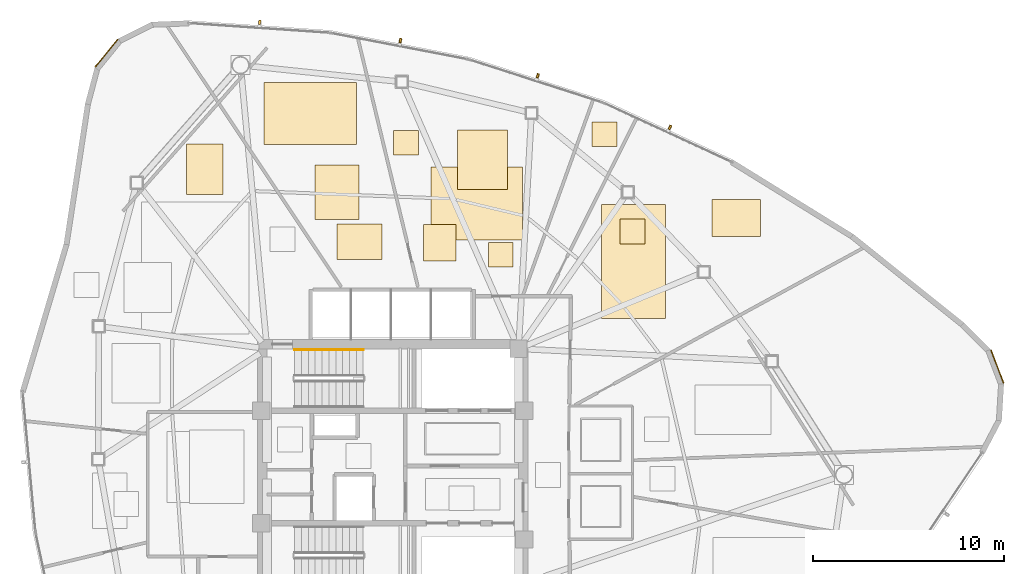
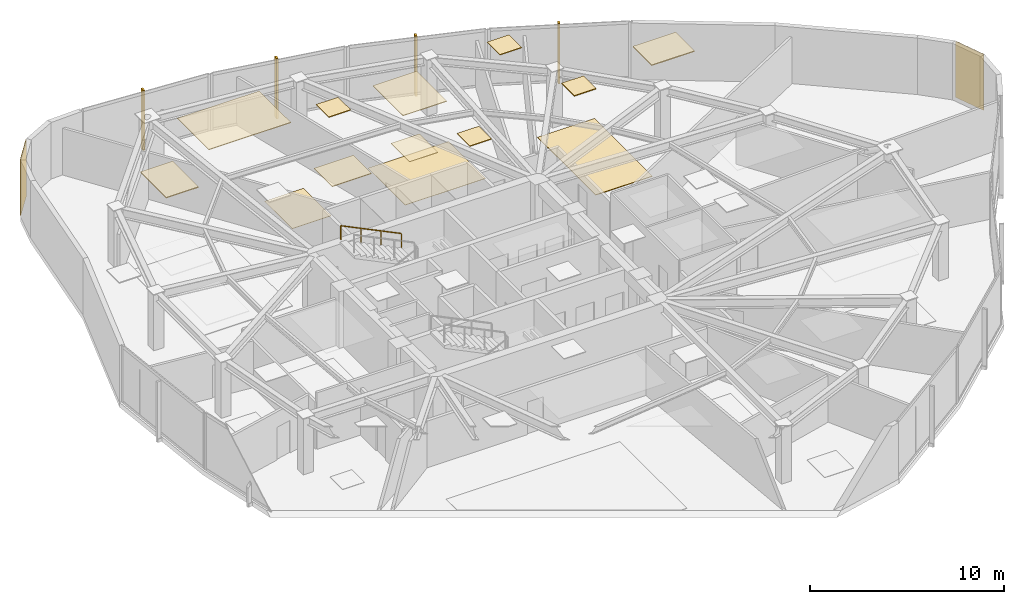
# One storey, part 17 of 17: 15 coverings, 4 shading devices, 1 railing.
"""IFC4 building model written with IfcOpenShell, lengths in metres."""

from ifc_helpers import new_model, si_unit, direction, frame, origin, origin_2d, place, context, subcontext, project, spatial, polyline, rectangle, outline, extrude, source, transform, mapped, material, layer, layer_set, type_object, type_shapes, element, save


model = new_model("IFC4")

# Units and contexts
model_context = context("Model", 3, precision=1e-05, world=origin(), true_north=direction((0.0, 1.0)))
body_context = subcontext(model_context, "Body", "Model", "MODEL_VIEW")
ifc_project = project(units=[si_unit("LENGTHUNIT", "METRE"), si_unit("AREAUNIT", "SQUARE_METRE"), si_unit("VOLUMEUNIT", "CUBIC_METRE"), si_unit("PLANEANGLEUNIT", "RADIAN"), si_unit("MASSUNIT", "GRAM", prefix="KILO")], contexts=[model_context])

# Site, building, storey
site_placement = place(None, origin())
site = spatial("IfcSite", under=ifc_project, at=site_placement, CompositionType="ELEMENT")
building_placement = place(site_placement, origin())
building = spatial("IfcBuilding", under=site, at=building_placement, Name="Tavelor Broadcast Tower", CompositionType="ELEMENT")
storey_placement = place(building_placement, frame((0.0, 0.0, 196.449951171875)))
storey = spatial("IfcBuildingStorey", under=building, at=storey_placement, Name="L47", CompositionType="ELEMENT", Elevation=196.449951171875)

# Coverings
ifc_material_1 = material(Name="Copper-Bronze Anodized Aluminium", Category="aluminium")
ifc_layer_1 = layer(ifc_material_1, 0.050048828125)
ifc_layer_set_1 = layer_set([ifc_layer_1], Name="Copper-Bronze Anodized Aluminium")
covering_type_1 = type_object("IfcCoveringType", Name="Champagne-Bronze Corner Pier Metal Cladding 50 mm", PredefinedType="CLADDING", material=ifc_layer_set_1)
for number, where, z_axis, x_axis, name in (
    (1, (34.97998046875, 66.714111328125, 0.02001953125), (0.0, 0.0, 1.0), (-0.631352795449, -0.775495743172, 0.0), "L47 Champagne-Bronze Corner Cladding 03"),
    (2, (81.715087890625, 50.268310546875, 0.02001953125), (0.0, 0.0, 1.0), (-0.355922616389, 0.934515431196, 0.0), "L47 Champagne-Bronze Corner Cladding 23"),
):
    element("IfcCovering", number, at=place(storey_placement, frame(where, z_axis=z_axis, x_axis=x_axis)), inside=storey, type_object=covering_type_1, Name=name, PredefinedType="CLADDING", context=body_context, shape_type="SweptSolid", body=[
        extrude(rectangle(XDim=1.853759765625, YDim=0.050048828125, at=origin_2d()), origin(), (0.0, 0.0, 1.0), 3.510009765625),
    ])

# Railing
ifc_material_2 = material(Name="Steel S355", Category="steel")
railing_type = type_object("IfcRailingType", Name="Continuous Brushed Stainless Handrail 900 mm", PredefinedType="HANDRAIL", material=ifc_material_2)
railing_placement = place(storey_placement, frame((48.449951171875, 51.14990234375, 2.10009765625)))
element("IfcRailing", 3, at=railing_placement, inside=storey, type_object=railing_type, Name="L47 ST1 stair handrail 2", PredefinedType="HANDRAIL", context=body_context, shape_type="SweptSolid", body=[
    extrude(rectangle(XDim=0.048095703125, YDim=0.048095703125, at=origin_2d()), frame((0.0, 0.0, 0.8759765625), z_axis=(-0.899360859046, 0.0, 0.437207096483), x_axis=(0.0, -1.0, 0.0)), (0.0, 0.0, 1.0), 4.002685546875),
    extrude(rectangle(XDim=0.0419921875, YDim=0.0419921875, at=origin_2d()), origin(), (0.0, 0.0, 1.0), 0.851806640625),
    extrude(rectangle(XDim=0.0419921875, YDim=0.0419921875, at=origin_2d()), frame((-1.199951171875, 0.0, 0.583251953125)), (0.0, 0.0, 1.0), 0.851806640625),
    extrude(rectangle(XDim=0.0419921875, YDim=0.0419921875, at=origin_2d()), frame((-2.39990234375, 0.0, 1.166748046875)), (0.0, 0.0, 1.0), 0.851806640625),
    extrude(rectangle(XDim=0.0419921875, YDim=0.0419921875, at=origin_2d()), frame((-3.599853515625, 0.0, 1.75)), (0.0, 0.0, 1.0), 0.851806640625),
])

# Coverings
ifc_material_3 = material(Name="Acoustic Nylon Carpet Tile")
ifc_layer_2 = layer(ifc_material_3, 0.02001953125)
ifc_layer_set_2 = layer_set([ifc_layer_2], Name="Acoustic Nylon Carpet Tile")
covering_type_2 = type_object("IfcCoveringType", Name="Heavy-Duty Acoustic Broadcast Carpet Tile 20 mm", PredefinedType="FLOORING", material=ifc_layer_set_2)
covering_1_placement = place(storey_placement, origin())
element("IfcCovering", 4, at=covering_1_placement, inside=storey, type_object=covering_type_2, Name="L47 Broadcast Floor Finish 0721", PredefinedType="FLOORING", context=body_context, shape_type="SweptSolid", body=[
    extrude(outline(polyline([(45.919189453125, 57.991943359375), (48.235595703125, 57.991943359375), (48.235595703125, 60.837646484375), (45.919189453125, 60.837646484375), (45.919189453125, 57.991943359375)])), origin(), (0.0, 0.0, 1.0), 0.02001953125),
])
covering_2_placement = place(storey_placement, origin())
element("IfcCovering", 5, at=covering_2_placement, inside=storey, type_object=covering_type_2, Name="L47 Broadcast Floor Finish 0722", PredefinedType="FLOORING", context=body_context, shape_type="SweptSolid", body=[
    extrude(outline(polyline([(52.011474609375, 56.917236328125), (56.798095703125, 56.917236328125), (56.798095703125, 60.7412109375), (52.011474609375, 60.7412109375), (52.011474609375, 56.917236328125)])), origin(), (0.0, 0.0, 1.0), 0.02001953125),
])
ifc_material_4 = material(Name="Acoustic Hardwood Studio Flooring", Category="wood")
ifc_layer_3 = layer(ifc_material_4, 0.034912109375)
ifc_layer_set_3 = layer_set([ifc_layer_3], Name="Acoustic Hardwood Studio Flooring")
covering_type_3 = type_object("IfcCoveringType", Name="Isolated Studio Acoustic Elastomeric Floor Finish 35 mm", PredefinedType="FLOORING", material=ifc_layer_set_3)
covering_3_placement = place(storey_placement, origin())
element("IfcCovering", 6, at=covering_3_placement, inside=storey, type_object=covering_type_3, Name="L47 Broadcast Floor Finish 0723", PredefinedType="FLOORING", context=body_context, shape_type="SweptSolid", body=[
    extrude(outline(polyline([(60.94287109375, 52.78857421875), (64.31689453125, 52.78857421875), (64.31689453125, 58.762939453125), (60.94287109375, 58.762939453125), (60.94287109375, 52.78857421875)])), origin(), (0.0, 0.0, 1.0), 0.03515625),
])
ifc_material_5 = material(Name="Acoustic Perforated Timber Baffle", Category="wood")
ifc_layer_4 = layer(ifc_material_5, 0.054931640625)
ifc_layer_set_4 = layer_set([ifc_layer_4], Name="Acoustic Perforated Timber Baffle")
covering_type_4 = type_object("IfcCoveringType", Name="Micro-Perforated Acoustic Baffle Studio Ceiling 55 mm", PredefinedType="CEILING", material=ifc_layer_set_4)
covering_4_placement = place(storey_placement, frame((0.0, 0.0, 3.4951171875)))
element("IfcCovering", 7, at=covering_4_placement, inside=storey, type_object=covering_type_4, Name="L47 Suspended Acoustic Ceiling 1976", PredefinedType="CEILING", context=body_context, shape_type="SweptSolid", body=[
    extrude(outline(polyline([(39.1826171875, 59.285888671875), (41.09716796875, 59.285888671875), (41.09716796875, 61.9541015625), (39.1826171875, 61.9541015625), (39.1826171875, 59.285888671875)])), origin(), (0.0, 0.0, 1.0), 0.054931640625),
])
covering_5_placement = place(storey_placement, frame((0.0, 0.0, 3.4951171875)))
element("IfcCovering", 8, at=covering_5_placement, inside=storey, type_object=covering_type_4, Name="L47 Suspended Acoustic Ceiling 1986", PredefinedType="CEILING", context=body_context, shape_type="SweptSolid", body=[
    extrude(outline(polyline([(66.7578125, 57.08642578125), (69.30078125, 57.08642578125), (69.30078125, 59.033935546875), (66.7578125, 59.033935546875), (66.7578125, 57.08642578125)])), origin(), (0.0, 0.0, 1.0), 0.054931640625),
])
covering_6_placement = place(storey_placement, frame((0.0, 0.0, 3.4951171875)))
element("IfcCovering", 9, at=covering_6_placement, inside=storey, type_object=covering_type_4, Name="L47 Suspended Acoustic Ceiling 1987", PredefinedType="CEILING", context=body_context, shape_type="SweptSolid", body=[
    extrude(outline(polyline([(61.927734375, 56.70068359375), (63.227783203125, 56.70068359375), (63.227783203125, 58.00048828125), (61.927734375, 58.00048828125), (61.927734375, 56.70068359375)])), origin(), (0.0, 0.0, 1.0), 0.054931640625),
])
ifc_material_6 = material(Name="Acoustic Mineral Fibre Tile")
ifc_layer_5 = layer(ifc_material_6, 0.0400390625)
ifc_layer_set_5 = layer_set([ifc_layer_5], Name="Acoustic Mineral Fibre Tile")
covering_type_5 = type_object("IfcCoveringType", Name="Suspended Acoustic Mineral-Fibre Office Ceiling 40 mm", PredefinedType="CEILING", material=ifc_layer_set_5)
covering_7_placement = place(storey_placement, frame((0.0, 0.0, 3.510009765625)))
element("IfcCovering", 10, at=covering_7_placement, inside=storey, type_object=covering_type_5, Name="L47 Suspended Acoustic Ceiling 1979", PredefinedType="CEILING", context=body_context, shape_type="SweptSolid", body=[
    extrude(outline(polyline([(43.231201171875, 61.921630859375), (48.1044921875, 61.921630859375), (48.1044921875, 65.169189453125), (43.231201171875, 65.169189453125), (43.231201171875, 61.921630859375)])), origin(), (0.0, 0.0, 1.0), 0.0400390625),
])
covering_8_placement = place(storey_placement, frame((0.0, 0.0, 3.510009765625)))
element("IfcCovering", 11, at=covering_8_placement, inside=storey, type_object=covering_type_5, Name="L47 Suspended Acoustic Ceiling 1980", PredefinedType="CEILING", context=body_context, shape_type="SweptSolid", body=[
    extrude(outline(polyline([(47.07666015625, 55.885498046875), (49.4208984375, 55.885498046875), (49.4208984375, 57.758544921875), (47.07666015625, 57.758544921875), (47.07666015625, 55.885498046875)])), origin(), (0.0, 0.0, 1.0), 0.0400390625),
])
covering_9_placement = place(storey_placement, frame((0.0, 0.0, 3.510009765625)))
element("IfcCovering", 12, at=covering_9_placement, inside=storey, type_object=covering_type_5, Name="L47 Suspended Acoustic Ceiling 1981", PredefinedType="CEILING", context=body_context, shape_type="SweptSolid", body=[
    extrude(outline(polyline([(55.015625, 55.479736328125), (56.315673828125, 55.479736328125), (56.315673828125, 56.77978515625), (55.015625, 56.77978515625), (55.015625, 55.479736328125)])), origin(), (0.0, 0.0, 1.0), 0.0400390625),
])
covering_10_placement = place(storey_placement, frame((0.0, 0.0, 3.510009765625)))
element("IfcCovering", 13, at=covering_10_placement, inside=storey, type_object=covering_type_5, Name="L47 Suspended Acoustic Ceiling 1982", PredefinedType="CEILING", context=body_context, shape_type="SweptSolid", body=[
    extrude(outline(polyline([(51.623291015625, 55.810302734375), (53.315673828125, 55.810302734375), (53.315673828125, 57.716552734375), (51.623291015625, 57.716552734375), (51.623291015625, 55.810302734375)])), origin(), (0.0, 0.0, 1.0), 0.0400390625),
])
covering_11_placement = place(storey_placement, frame((0.0, 0.0, 3.510009765625)))
element("IfcCovering", 14, at=covering_11_placement, inside=storey, type_object=covering_type_5, Name="L47 Suspended Acoustic Ceiling 1983", PredefinedType="CEILING", context=body_context, shape_type="SweptSolid", body=[
    extrude(outline(polyline([(50.03857421875, 61.358154296875), (51.33837890625, 61.358154296875), (51.33837890625, 62.658203125), (50.03857421875, 62.658203125), (50.03857421875, 61.358154296875)])), origin(), (0.0, 0.0, 1.0), 0.0400390625),
])
covering_12_placement = place(storey_placement, frame((0.0, 0.0, 3.510009765625)))
element("IfcCovering", 15, at=covering_12_placement, inside=storey, type_object=covering_type_5, Name="L47 Suspended Acoustic Ceiling 1984", PredefinedType="CEILING", context=body_context, shape_type="SweptSolid", body=[
    extrude(outline(polyline([(53.40771484375, 59.56494140625), (56.0146484375, 59.56494140625), (56.0146484375, 62.666015625), (53.40771484375, 62.666015625), (53.40771484375, 59.56494140625)])), origin(), (0.0, 0.0, 1.0), 0.0400390625),
])
covering_13_placement = place(storey_placement, frame((0.0, 0.0, 3.510009765625)))
element("IfcCovering", 16, at=covering_13_placement, inside=storey, type_object=covering_type_5, Name="L47 Suspended Acoustic Ceiling 1985", PredefinedType="CEILING", context=body_context, shape_type="SweptSolid", body=[
    extrude(outline(polyline([(60.456298828125, 61.8046875), (61.75634765625, 61.8046875), (61.75634765625, 63.104736328125), (60.456298828125, 63.104736328125), (60.456298828125, 61.8046875)])), origin(), (0.0, 0.0, 1.0), 0.0400390625),
])

# Shading devices
ifc_material_7 = material(Name="Kiln-Fired Glazed Terracotta", Category="masonry")
shading_device_type = type_object("IfcShadingDeviceType", Name="Extruded Terracotta Baguette Sun-Screen 110x240", PredefinedType="JALOUSIE", material=ifc_material_7)
shared_shape = source(origin(), body_context, "Body", "SweptSolid", [
    extrude(rectangle(XDim=0.110107421875, YDim=0.239990234375, at=origin_2d()), origin(), (0.0, 0.0, 1.0), 3.7900390625),
])
type_shapes(shading_device_type, [shared_shape])
for number, where, z_axis, x_axis, name in (
    (17, (64.5419921875, 62.820556640625, -0.260009765625), (0.0, 0.0, 1.0), (-0.907996978683, 0.418976713794, 0.0), "L47 Terracotta Baguette Fin 501"),
    (18, (57.60791015625, 65.524169921875, -0.260009765625), (0.0, 0.0, 1.0), (-0.951969200546, 0.306193796821, 0.0), "L47 Terracotta Baguette Fin 502"),
    (19, (50.397705078125, 67.36865234375, -0.260009765625), (0.0, 0.0, 1.0), (-0.98205758823, 0.188581264713, 0.0), "L47 Terracotta Baguette Fin 503"),
    (20, (43.017333984375, 68.326904296875, -0.260009765625), (0.0, 0.0, 1.0), (-0.997660476238, 0.068363544026, 0.0), "L47 Terracotta Baguette Fin 504"),
):
    element("IfcShadingDevice", number, at=place(storey_placement, frame(where, z_axis=z_axis, x_axis=x_axis)), inside=storey, type_object=shading_device_type, Name=name, PredefinedType="JALOUSIE", context=body_context, shape_type="MappedRepresentation", body=[
        mapped(shared_shape, transform((0.0, 0.0, 0.0), scale=1.0)),
    ])

save(model, "model.ifc")
